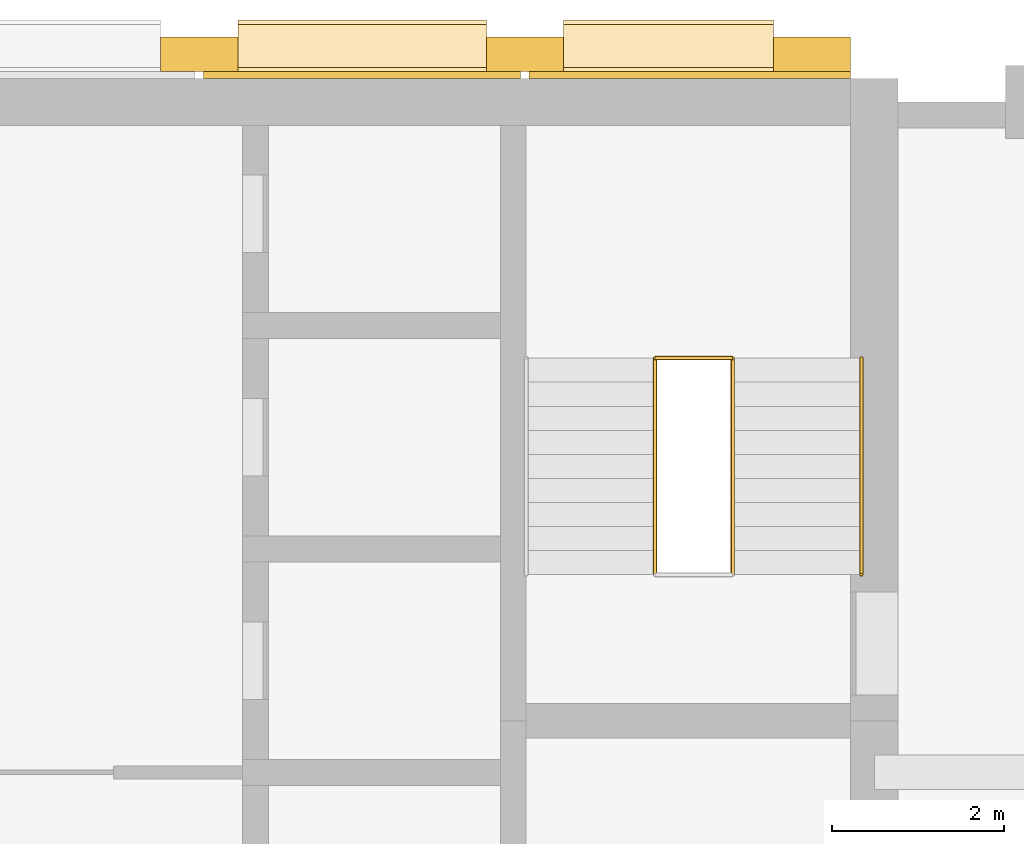
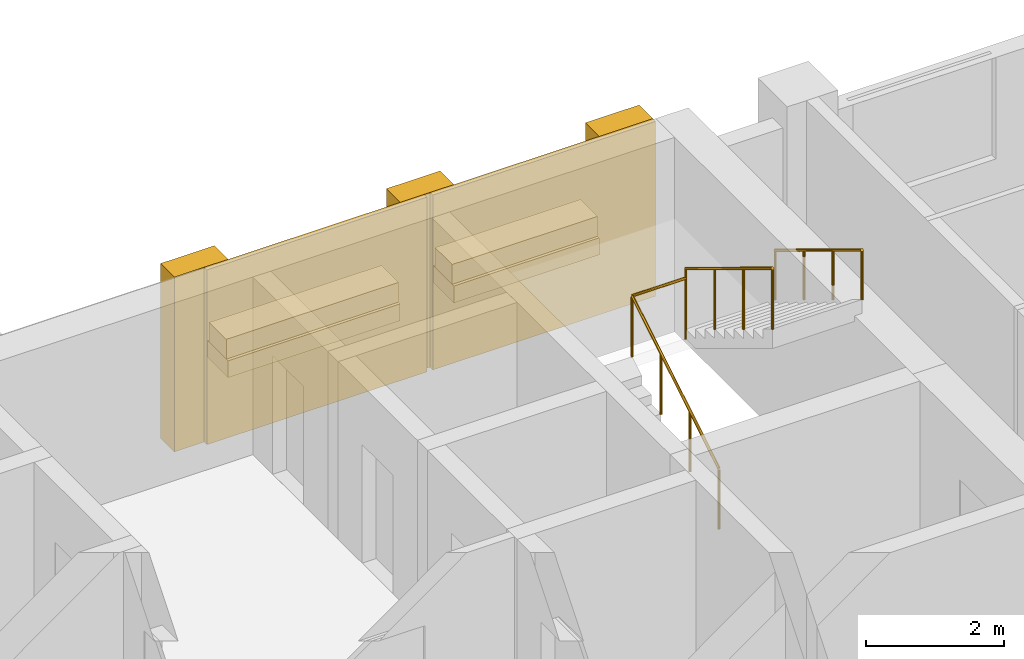
# One storey, part 13 of 13: 9 coverings, 4 railings, 1 element without a shape of its own.
"""IFC4 building model written with IfcOpenShell, lengths in metres."""

from ifc_helpers import new_model, si_unit, direction, frame, origin, origin_2d, place, context, subcontext, project, spatial, rectangle, circle, extrude, material, layer, layer_set, type_object, element, aggregate, save


model = new_model("IFC4")

# Units and contexts
model_context = context("Model", 3, precision=1e-05, world=origin(), true_north=direction((0.0, 1.0)))
body_context = subcontext(model_context, "Body", "Model", "MODEL_VIEW")
ifc_project = project(units=[si_unit("LENGTHUNIT", "METRE"), si_unit("AREAUNIT", "SQUARE_METRE"), si_unit("VOLUMEUNIT", "CUBIC_METRE"), si_unit("PLANEANGLEUNIT", "RADIAN"), si_unit("MASSUNIT", "GRAM", prefix="KILO")], contexts=[model_context])

# Site, building, storey
site_placement = place(None, origin())
site = spatial("IfcSite", under=ifc_project, at=site_placement, CompositionType="ELEMENT")
building_placement = place(site_placement, origin())
building = spatial("IfcBuilding", under=site, at=building_placement, Name="Ludao Terraces", CompositionType="ELEMENT")
storey_placement = place(building_placement, frame((0.0, 0.0, 123.699951171875)))
storey = spatial("IfcBuildingStorey", under=building, at=storey_placement, Name="L33", CompositionType="ELEMENT", Elevation=123.699951171875)

# Coverings
ifc_material_1 = material(Name="Granite cladding", Category="masonry")
ifc_layer_1 = layer(ifc_material_1, 0.39990234375)
ifc_layer_set_1 = layer_set([ifc_layer_1], Name="ENV Core pilaster stone 400")
covering_type_1 = type_object("IfcCoveringType", Name="ENV Core pilaster stone 400", PredefinedType="CLADDING", material=ifc_layer_set_1)
for number, where, z_axis, x_axis, name in (
    (1, (86.89501953125, 85.054931640625, 0.0), (0.0, 0.0, 1.0), (1.0, 0.0, 0.0), "CC-L33-PIL4"),
    (2, (90.68505859375, 85.054931640625, 0.0), (0.0, 0.0, 1.0), (1.0, 0.0, 0.0), "CC-L33-PIL5"),
    (3, (94.02490234375, 85.054931640625, 0.0), (0.0, 0.0, 1.0), (1.0, 0.0, 0.0), "CC-L33-PIL6"),
):
    element("IfcCovering", number, at=place(storey_placement, frame(where, z_axis=z_axis, x_axis=x_axis)), inside=storey, type_object=covering_type_1, Name=name, PredefinedType="CLADDING", context=body_context, shape_type="SweptSolid", body=[
        extrude(rectangle(XDim=0.89990234375, YDim=0.39990234375, at=origin_2d()), origin(), (0.0, 0.0, 1.0), 3.10009765625),
    ])
ifc_layer_2 = layer(ifc_material_1, 0.60009765625)
ifc_layer_set_2 = layer_set([ifc_layer_2], Name="ENV Core planting shelf stone 600")
covering_type_2 = type_object("IfcCoveringType", Name="ENV Core planting shelf stone 600", PredefinedType="CLADDING", material=ifc_layer_set_2)
covering_1_placement = place(storey_placement, frame((88.7900390625, 85.155029296875, 1.0), z_axis=(0.0, 0.0, 1.0), x_axis=(1.0, 0.0, 0.0)))
element("IfcCovering", 4, at=covering_1_placement, inside=storey, type_object=covering_type_2, Name="CC-L33-SHELF4", PredefinedType="CLADDING", context=body_context, shape_type="SweptSolid", body=[
    extrude(rectangle(XDim=2.889892578125, YDim=0.60009765625, at=origin_2d()), origin(), (0.0, 0.0, 1.0), 0.300048828125),
])
covering_2_placement = place(storey_placement, frame((92.35498046875, 85.155029296875, 1.0), z_axis=(0.0, 0.0, 1.0), x_axis=(1.0, 0.0, 0.0)))
element("IfcCovering", 5, at=covering_2_placement, inside=storey, type_object=covering_type_2, Name="CC-L33-SHELF5", PredefinedType="CLADDING", context=body_context, shape_type="SweptSolid", body=[
    extrude(rectangle(XDim=2.43994140625, YDim=0.60009765625, at=origin_2d()), origin(), (0.0, 0.0, 1.0), 0.300048828125),
])
ifc_layer_3 = layer(ifc_material_1, 0.080078125)
ifc_layer_set_3 = layer_set([ifc_layer_3], Name="ENV Core stone cladding panel 80")
covering_type_3 = type_object("IfcCoveringType", Name="ENV Core stone cladding panel 80", PredefinedType="CLADDING", material=ifc_layer_set_3)
covering_3_placement = place(storey_placement, frame((88.7900390625, 84.81494140625, 0.0), z_axis=(0.0, 0.0, 1.0), x_axis=(1.0, 0.0, 0.0)))
element("IfcCovering", 6, at=covering_3_placement, inside=storey, type_object=covering_type_3, Name="CC-L33-CORE4", PredefinedType="CLADDING", context=body_context, shape_type="SweptSolid", body=[
    extrude(rectangle(XDim=3.68994140625, YDim=0.080078125, at=origin_2d()), origin(), (0.0, 0.0, 1.0), 3.10009765625),
])
covering_4_placement = place(storey_placement, frame((92.60498046875, 84.81494140625, 0.0), z_axis=(0.0, 0.0, 1.0), x_axis=(1.0, 0.0, 0.0)))
element("IfcCovering", 7, at=covering_4_placement, inside=storey, type_object=covering_type_3, Name="CC-L33-CORE5", PredefinedType="CLADDING", context=body_context, shape_type="SweptSolid", body=[
    extrude(rectangle(XDim=3.739990234375, YDim=0.080078125, at=origin_2d()), origin(), (0.0, 0.0, 1.0), 3.10009765625),
])
ifc_material_2 = material(Name="Planting")
ifc_layer_4 = layer(ifc_material_2, 0.5)
ifc_layer_set_4 = layer_set([ifc_layer_4], Name="ENV Shelf planting bed 350")
covering_type_4 = type_object("IfcCoveringType", Name="ENV Shelf planting bed 350", PredefinedType="USERDEFINED", material=ifc_layer_set_4)
covering_5_placement = place(storey_placement, frame((88.7900390625, 85.155029296875, 1.300048828125), z_axis=(0.0, 0.0, 1.0), x_axis=(1.0, 0.0, 0.0)))
element("IfcCovering", 8, at=covering_5_placement, inside=storey, type_object=covering_type_4, Name="Shelf planting bed L33 4", ObjectType="PLANTING", PredefinedType="USERDEFINED", context=body_context, shape_type="SweptSolid", body=[
    extrude(rectangle(XDim=2.889892578125, YDim=0.5, at=origin_2d()), origin(), (0.0, 0.0, 1.0), 0.35009765625),
])
covering_6_placement = place(storey_placement, frame((92.35498046875, 85.155029296875, 1.300048828125), z_axis=(0.0, 0.0, 1.0), x_axis=(1.0, 0.0, 0.0)))
element("IfcCovering", 9, at=covering_6_placement, inside=storey, type_object=covering_type_4, Name="Shelf planting bed L33 5", ObjectType="PLANTING", PredefinedType="USERDEFINED", context=body_context, shape_type="SweptSolid", body=[
    extrude(rectangle(XDim=2.43994140625, YDim=0.5, at=origin_2d()), origin(), (0.0, 0.0, 1.0), 0.35009765625),
])

# Stair, railings
ifc_material_3 = material(Name="Concrete C40", Category="concrete")
stair_type = type_object("IfcStairType", Name="INT Stair", PredefinedType="HALF_TURN_STAIR", material=ifc_material_3)
stair_placement = place(storey_placement, origin())
stair = element("IfcStair", 10, at=stair_placement, inside=storey, type_object=stair_type, Name="EXIT STAIR 2", PredefinedType="HALF_TURN_STAIR")
ifc_material_4 = material(Name="Stainless steel 304", Category="steel")
railing_type_1 = type_object("IfcRailingType", Name="INT Stair guard 1100", PredefinedType="GUARDRAIL", material=ifc_material_4)
railing_1_placement = place(storey_placement, frame((92.199951171875, 79.0, 0.170166015625)))
railing_1 = element("IfcRailing", 11, at=railing_1_placement, type_object=railing_type_1, Name="ST-L33-S2-R1G", PredefinedType="GUARDRAIL", context=body_context, shape_type="SweptSolid", body=[
    extrude(circle(Radius=0.02392578125, at=origin_2d()), frame((0.0, 0.0, 1.076171875), z_axis=(0.0, 0.854821627497, 0.518921945155), x_axis=(-1.0, 0.0, 0.0)), (0.0, 0.0, 1.0), 2.947998046875),
    extrude(circle(Radius=0.02099609375, at=origin_2d()), origin(), (0.0, 0.0, 1.0), 1.052001953125),
    extrude(circle(Radius=0.02099609375, at=origin_2d()), frame((0.0, 0.840087890625, 0.510009765625)), (0.0, 0.0, 1.0), 1.052001953125),
    extrude(circle(Radius=0.02099609375, at=origin_2d()), frame((0.0, 1.679931640625, 1.019775390625)), (0.0, 0.0, 1.0), 1.052001953125),
    extrude(circle(Radius=0.02099609375, at=origin_2d()), frame((0.0, 2.52001953125, 1.52978515625)), (0.0, 0.0, 1.0), 1.052001953125),
])
railing_2_placement = place(storey_placement, frame((93.10009765625, 81.52001953125, 1.8701171875)))
railing_2 = element("IfcRailing", 12, at=railing_2_placement, type_object=railing_type_1, Name="ST-L33-S2-R2G", PredefinedType="GUARDRAIL", context=body_context, shape_type="SweptSolid", body=[
    extrude(circle(Radius=0.02392578125, at=origin_2d()), frame((0.0, 0.0, 1.076171875), z_axis=(0.0, -0.85478489116, 0.518982456201), x_axis=(1.0, 0.0, 0.0)), (0.0, 0.0, 1.0), 2.9482421875),
    extrude(circle(Radius=0.02099609375, at=origin_2d()), origin(), (0.0, 0.0, 1.0), 1.052001953125),
    extrude(circle(Radius=0.02099609375, at=origin_2d()), frame((0.0, -0.840087890625, 0.510009765625)), (0.0, 0.0, 1.0), 1.052001953125),
    extrude(circle(Radius=0.02099609375, at=origin_2d()), frame((0.0, -1.679931640625, 1.02001953125)), (0.0, 0.0, 1.0), 1.052001953125),
    extrude(circle(Radius=0.02099609375, at=origin_2d()), frame((0.0, -2.52001953125, 1.530029296875)), (0.0, 0.0, 1.0), 1.052001953125),
])
railing_3_placement = place(storey_placement, frame((92.199951171875, 81.52001953125, 1.699951171875)))
railing_3 = element("IfcRailing", 13, at=railing_3_placement, type_object=railing_type_1, Name="ST-L33-S2-E1G", PredefinedType="GUARDRAIL", context=body_context, shape_type="SweptSolid", body=[
    extrude(circle(Radius=0.02392578125, at=origin_2d()), frame((0.0, 0.0, 1.076171875), z_axis=(1.0, 0.0, 0.0), x_axis=(0.0, 1.0, 0.0)), (0.0, 0.0, 1.0), 0.900146484375),
    extrude(circle(Radius=0.02099609375, at=origin_2d()), origin(), (0.0, 0.0, 1.0), 1.052001953125),
    extrude(circle(Radius=0.02099609375, at=origin_2d()), frame((0.900146484375, 0.0, 0.0)), (0.0, 0.0, 1.0), 1.052001953125),
])
railing_type_2 = type_object("IfcRailingType", Name="INT Stair handrail 900", PredefinedType="HANDRAIL", material=ifc_material_4)
railing_4_placement = place(storey_placement, frame((94.60009765625, 81.52001953125, 1.8701171875)))
railing_4 = element("IfcRailing", 14, at=railing_4_placement, type_object=railing_type_2, Name="ST-L33-S2-R2H", PredefinedType="HANDRAIL", context=body_context, shape_type="SweptSolid", body=[
    extrude(circle(Radius=0.02392578125, at=origin_2d()), frame((0.0, 0.0, 0.8759765625), z_axis=(0.0, -0.85478489116, 0.518982456201), x_axis=(1.0, 0.0, 0.0)), (0.0, 0.0, 1.0), 2.9482421875),
    extrude(circle(Radius=0.02099609375, at=origin_2d()), origin(), (0.0, 0.0, 1.0), 0.851806640625),
    extrude(circle(Radius=0.02099609375, at=origin_2d()), frame((0.0, -0.840087890625, 0.510009765625)), (0.0, 0.0, 1.0), 0.851806640625),
    extrude(circle(Radius=0.02099609375, at=origin_2d()), frame((0.0, -1.679931640625, 1.02001953125)), (0.0, 0.0, 1.0), 0.851806640625),
    extrude(circle(Radius=0.02099609375, at=origin_2d()), frame((0.0, -2.52001953125, 1.530029296875)), (0.0, 0.0, 1.0), 0.851806640625),
])
aggregate(stair, [railing_1, railing_2, railing_4, railing_3])

save(model, "model.ifc")
